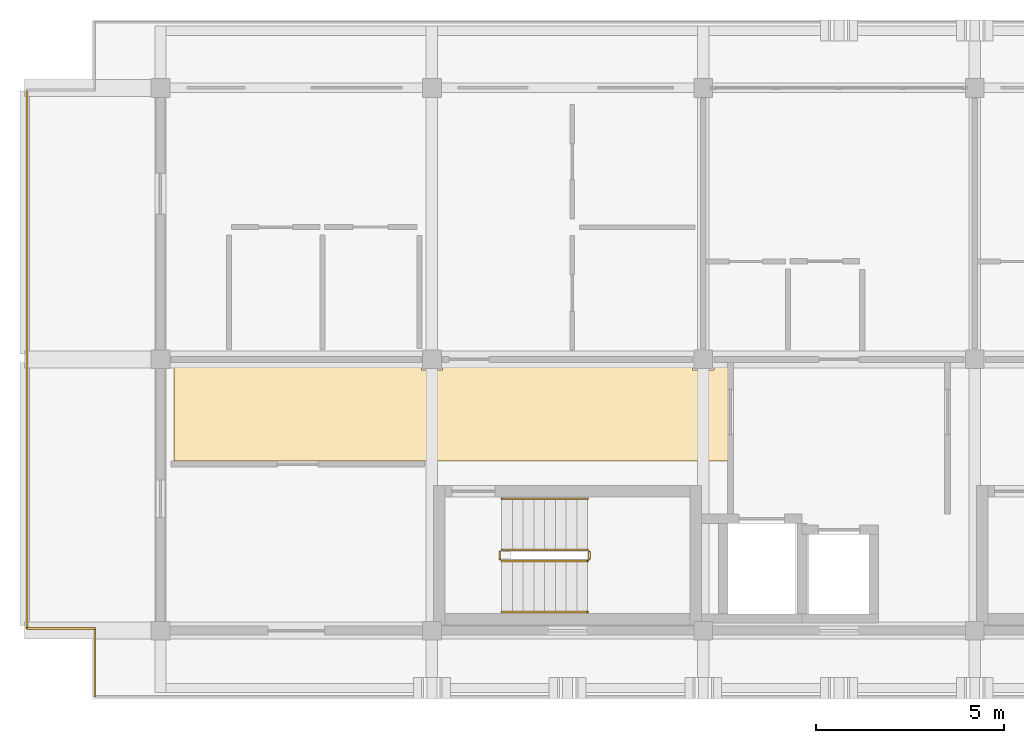
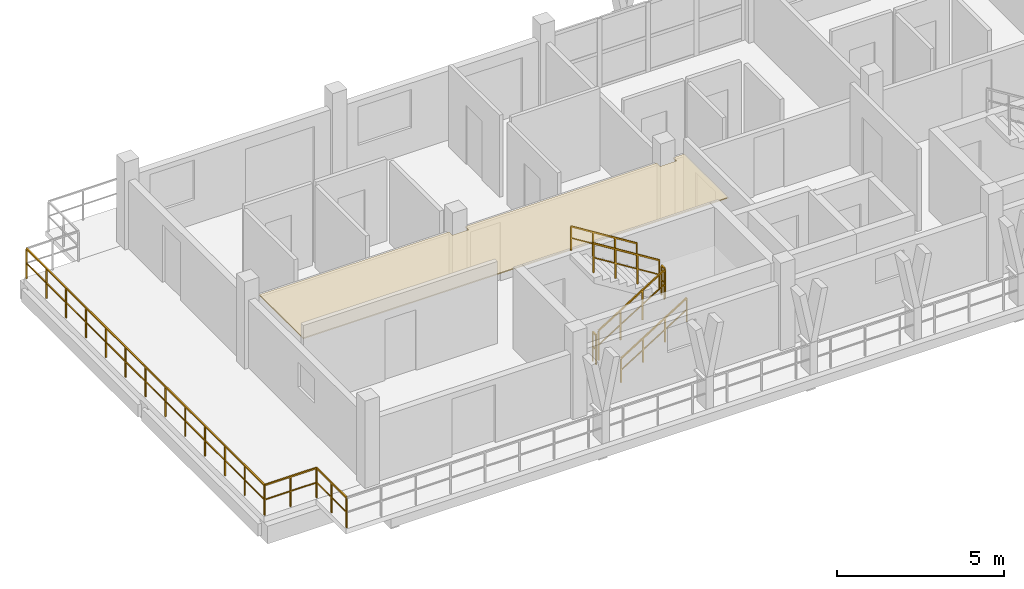
# One storey, part 7 of 9: 9 railings, 1 covering.
"""IFC4 building model written with IfcOpenShell, lengths in metres."""

from ifc_helpers import new_model, si_unit, direction, frame, origin, origin_2d, place, context, subcontext, project, spatial, polyline, rectangle, outline, extrude, material, layer, layer_set, type_object, element, save


model = new_model("IFC4")

# Units and contexts
model_context = context("Model", 3, precision=1e-05, world=origin(), true_north=direction((0.0, 1.0)))
body_context = subcontext(model_context, "Body", "Model", "MODEL_VIEW")
ifc_project = project(units=[si_unit("LENGTHUNIT", "METRE"), si_unit("AREAUNIT", "SQUARE_METRE"), si_unit("VOLUMEUNIT", "CUBIC_METRE"), si_unit("PLANEANGLEUNIT", "RADIAN"), si_unit("MASSUNIT", "GRAM", prefix="KILO")], contexts=[model_context])

# Site, building, storey
site_placement = place(None, origin())
site = spatial("IfcSite", under=ifc_project, at=site_placement, CompositionType="ELEMENT")
building_placement = place(site_placement, origin())
building = spatial("IfcBuilding", under=site, at=building_placement, Name="Suanplinth Sawtooth Commons", CompositionType="ELEMENT")
storey_placement = place(building_placement, frame((0.0, 0.0, 47.699951171875)))
storey = spatial("IfcBuildingStorey", under=building, at=storey_placement, Name="L14", CompositionType="ELEMENT", Elevation=47.699951171875)

# Covering
ifc_material_1 = material(Name="Mineral fibre acoustic tile")
ifc_layer = layer(ifc_material_1, 0.0400390625, Name="Perforated mineral-fibre acoustic suspended ceiling")
ifc_layer_set = layer_set([ifc_layer], Name="Mineral fibre acoustic tile")
covering_type = type_object("IfcCoveringType", Name="CV-CE01", PredefinedType="CEILING", material=ifc_layer_set)
covering_placement = place(storey_placement, frame((0.0, 0.0, 2.380126953125)))
element("IfcCovering", 1, at=covering_placement, inside=storey, type_object=covering_type, Name="L14 Block A Corridor Acoustic Ceiling", PredefinedType="CEILING", context=body_context, shape_type="SweptSolid", body=[
    extrude(outline(polyline([(36.360107421875, 112.5), (36.360107421875, 115.1201171875), (42.919921875, 115.1201171875), (42.919921875, 114.919921875), (43.47998046875, 114.919921875), (43.47998046875, 115.1201171875), (50.1201171875, 115.1201171875), (50.1201171875, 114.919921875), (50.679931640625, 114.919921875), (50.679931640625, 115.1201171875), (51.080078125, 115.1201171875), (51.080078125, 112.5), (36.360107421875, 112.5)])), origin(), (0.0, 0.0, 1.0), 0.0400390625),
])

# Railings
ifc_material_2 = material(Name="Powder-coated galvanized steel", Category="steel")
railing_type_1 = type_object("IfcRailingType", Name="GR-01", PredefinedType="BALUSTRADE", material=ifc_material_2)
railing_1_placement = place(storey_placement, frame((34.260009765625, 108.06005859375, 0.0)))
element("IfcRailing", 2, at=railing_1_placement, inside=storey, type_object=railing_type_1, Name="L14 Block A Perimeter Balustrade 1", PredefinedType="BALUSTRADE", context=body_context, shape_type="SweptSolid", body=[
    extrude(rectangle(XDim=0.048095703125, YDim=0.048095703125, at=origin_2d()), frame((0.0, 0.0, 1.09619140625), z_axis=(-1.0, 0.0, 0.0), x_axis=(0.0, -1.0, 0.0)), (0.0, 0.0, 1.0), 1.800048828125),
    extrude(rectangle(XDim=0.03369140625, YDim=0.03369140625, at=origin_2d()), frame((0.0, 0.0, 0.56005859375), z_axis=(-1.0, 0.0, 0.0), x_axis=(0.0, -1.0, 0.0)), (0.0, 0.0, 1.0), 1.800048828125),
    extrude(rectangle(XDim=0.0419921875, YDim=0.0419921875, at=origin_2d()), origin(), (0.0, 0.0, 1.0), 1.072021484375),
    extrude(rectangle(XDim=0.0419921875, YDim=0.0419921875, at=origin_2d()), frame((-0.89990234375, 0.0, 0.0)), (0.0, 0.0, 1.0), 1.072021484375),
    extrude(rectangle(XDim=0.0419921875, YDim=0.0419921875, at=origin_2d()), frame((-1.800048828125, 0.0, 0.0)), (0.0, 0.0, 1.0), 1.072021484375),
])
railing_2_placement = place(storey_placement, frame((32.4599609375, 108.06005859375, 0.0)))
element("IfcRailing", 3, at=railing_2_placement, inside=storey, type_object=railing_type_1, Name="L14 Block A Perimeter Balustrade 2", PredefinedType="BALUSTRADE", context=body_context, shape_type="SweptSolid", body=[
    extrude(rectangle(XDim=0.048095703125, YDim=0.048095703125, at=origin_2d()), frame((0.0, 0.0, 1.09619140625), z_axis=(0.0, 1.0, 0.0), x_axis=(-1.0, 0.0, 0.0)), (0.0, 0.0, 1.0), 14.280029296875),
    extrude(rectangle(XDim=0.03369140625, YDim=0.03369140625, at=origin_2d()), frame((0.0, 0.0, 0.56005859375), z_axis=(0.0, 1.0, 0.0), x_axis=(-1.0, 0.0, 0.0)), (0.0, 0.0, 1.0), 14.280029296875),
    extrude(rectangle(XDim=0.0419921875, YDim=0.0419921875, at=origin_2d()), origin(), (0.0, 0.0, 1.0), 1.072021484375),
    extrude(rectangle(XDim=0.0419921875, YDim=0.0419921875, at=origin_2d()), frame((0.0, 1.18994140625, 0.0)), (0.0, 0.0, 1.0), 1.072021484375),
    extrude(rectangle(XDim=0.0419921875, YDim=0.0419921875, at=origin_2d()), frame((0.0, 2.3798828125, 0.0)), (0.0, 0.0, 1.0), 1.072021484375),
    extrude(rectangle(XDim=0.0419921875, YDim=0.0419921875, at=origin_2d()), frame((0.0, 3.570068359375, 0.0)), (0.0, 0.0, 1.0), 1.072021484375),
    extrude(rectangle(XDim=0.0419921875, YDim=0.0419921875, at=origin_2d()), frame((0.0, 4.760009765625, 0.0)), (0.0, 0.0, 1.0), 1.072021484375),
    extrude(rectangle(XDim=0.0419921875, YDim=0.0419921875, at=origin_2d()), frame((0.0, 5.949951171875, 0.0)), (0.0, 0.0, 1.0), 1.072021484375),
    extrude(rectangle(XDim=0.0419921875, YDim=0.0419921875, at=origin_2d()), frame((0.0, 7.14013671875, 0.0)), (0.0, 0.0, 1.0), 1.072021484375),
    extrude(rectangle(XDim=0.0419921875, YDim=0.0419921875, at=origin_2d()), frame((0.0, 8.330078125, 0.0)), (0.0, 0.0, 1.0), 1.072021484375),
    extrude(rectangle(XDim=0.0419921875, YDim=0.0419921875, at=origin_2d()), frame((0.0, 9.52001953125, 0.0)), (0.0, 0.0, 1.0), 1.072021484375),
    extrude(rectangle(XDim=0.0419921875, YDim=0.0419921875, at=origin_2d()), frame((0.0, 10.7099609375, 0.0)), (0.0, 0.0, 1.0), 1.072021484375),
    extrude(rectangle(XDim=0.0419921875, YDim=0.0419921875, at=origin_2d()), frame((0.0, 11.89990234375, 0.0)), (0.0, 0.0, 1.0), 1.072021484375),
    extrude(rectangle(XDim=0.0419921875, YDim=0.0419921875, at=origin_2d()), frame((0.0, 13.090087890625, 0.0)), (0.0, 0.0, 1.0), 1.072021484375),
    extrude(rectangle(XDim=0.0419921875, YDim=0.0419921875, at=origin_2d()), frame((0.0, 14.280029296875, 0.0)), (0.0, 0.0, 1.0), 1.072021484375),
])
railing_3_placement = place(storey_placement, frame((34.260009765625, 106.260009765625, 0.0)))
element("IfcRailing", 4, at=railing_3_placement, inside=storey, type_object=railing_type_1, Name="L14 Block A Perimeter Balustrade 12", PredefinedType="BALUSTRADE", context=body_context, shape_type="SweptSolid", body=[
    extrude(rectangle(XDim=0.048095703125, YDim=0.048095703125, at=origin_2d()), frame((0.0, 0.0, 1.09619140625), z_axis=(0.0, 1.0, 0.0), x_axis=(-1.0, 0.0, 0.0)), (0.0, 0.0, 1.0), 1.800048828125),
    extrude(rectangle(XDim=0.03369140625, YDim=0.03369140625, at=origin_2d()), frame((0.0, 0.0, 0.56005859375), z_axis=(0.0, 1.0, 0.0), x_axis=(-1.0, 0.0, 0.0)), (0.0, 0.0, 1.0), 1.800048828125),
    extrude(rectangle(XDim=0.0419921875, YDim=0.0419921875, at=origin_2d()), origin(), (0.0, 0.0, 1.0), 1.072021484375),
    extrude(rectangle(XDim=0.0419921875, YDim=0.0419921875, at=origin_2d()), frame((0.0, 0.89990234375, 0.0)), (0.0, 0.0, 1.0), 1.072021484375),
    extrude(rectangle(XDim=0.0419921875, YDim=0.0419921875, at=origin_2d()), frame((0.0, 1.800048828125, 0.0)), (0.0, 0.0, 1.0), 1.072021484375),
])
ifc_material_3 = material(Name="Stainless steel Grade 304", Category="steel")
railing_type_2 = type_object("IfcRailingType", Name="GR-04", PredefinedType="GUARDRAIL", material=ifc_material_3)
railing_4_placement = place(storey_placement, frame((45.050048828125, 109.85009765625, 0.177734375)))
element("IfcRailing", 5, at=railing_4_placement, inside=storey, type_object=railing_type_2, Name="L14 ST-N1 Guard 1", PredefinedType="GUARDRAIL", context=body_context, shape_type="SweptSolid", body=[
    extrude(rectangle(XDim=0.048095703125, YDim=0.048095703125, at=origin_2d()), frame((0.0, 0.0, 1.076171875), z_axis=(0.848442045328, 0.0, 0.529288291689), x_axis=(0.0, 1.0, 0.0)), (0.0, 0.0, 1.0), 2.687255859375),
    extrude(rectangle(XDim=0.03369140625, YDim=0.03369140625, at=origin_2d()), frame((0.0, 0.0, 0.550048828125), z_axis=(0.848442045328, 0.0, 0.529288291689), x_axis=(0.0, 1.0, 0.0)), (0.0, 0.0, 1.0), 2.687255859375),
    extrude(rectangle(XDim=0.0419921875, YDim=0.0419921875, at=origin_2d()), origin(), (0.0, 0.0, 1.0), 1.052001953125),
    extrude(rectangle(XDim=0.0419921875, YDim=0.0419921875, at=origin_2d()), frame((0.760009765625, 0.0, 0.47412109375)), (0.0, 0.0, 1.0), 1.052001953125),
    extrude(rectangle(XDim=0.0419921875, YDim=0.0419921875, at=origin_2d()), frame((1.52001953125, 0.0, 0.9482421875)), (0.0, 0.0, 1.0), 1.052001953125),
    extrude(rectangle(XDim=0.0419921875, YDim=0.0419921875, at=origin_2d()), frame((2.280029296875, 0.0, 1.42236328125)), (0.0, 0.0, 1.0), 1.052001953125),
])
railing_5_placement = place(storey_placement, frame((47.3798828125, 109.89990234375, 1.60009765625)))
element("IfcRailing", 6, at=railing_5_placement, inside=storey, type_object=railing_type_2, Name="L14 ST-N1 Guard 2", PredefinedType="GUARDRAIL", context=body_context, shape_type="SweptSolid", body=[
    extrude(rectangle(XDim=0.048095703125, YDim=0.048095703125, at=origin_2d()), frame((0.0, 0.0, 1.076171875), z_axis=(0.0, 1.0, 0.0), x_axis=(-1.0, 0.0, 0.0)), (0.0, 0.0, 1.0), 0.2001953125),
    extrude(rectangle(XDim=0.03369140625, YDim=0.03369140625, at=origin_2d()), frame((0.0, 0.0, 0.550048828125), z_axis=(0.0, 1.0, 0.0), x_axis=(-1.0, 0.0, 0.0)), (0.0, 0.0, 1.0), 0.2001953125),
    extrude(rectangle(XDim=0.0419921875, YDim=0.0419921875, at=origin_2d()), origin(), (0.0, 0.0, 1.0), 1.052001953125),
    extrude(rectangle(XDim=0.0419921875, YDim=0.0419921875, at=origin_2d()), frame((0.0, 0.2001953125, 0.0)), (0.0, 0.0, 1.0), 1.052001953125),
])
railing_6_placement = place(storey_placement, frame((47.330078125, 110.14990234375, 1.77783203125)))
element("IfcRailing", 7, at=railing_6_placement, inside=storey, type_object=railing_type_2, Name="L14 ST-N1 Guard 3", PredefinedType="GUARDRAIL", context=body_context, shape_type="SweptSolid", body=[
    extrude(rectangle(XDim=0.048095703125, YDim=0.048095703125, at=origin_2d()), frame((0.0, 0.0, 1.076171875), z_axis=(-0.848482842525, 0.0, 0.529222888715), x_axis=(0.0, -1.0, 0.0)), (0.0, 0.0, 1.0), 2.687255859375),
    extrude(rectangle(XDim=0.03369140625, YDim=0.03369140625, at=origin_2d()), frame((0.0, 0.0, 0.550048828125), z_axis=(-0.848482842525, 0.0, 0.529222888715), x_axis=(0.0, -1.0, 0.0)), (0.0, 0.0, 1.0), 2.687255859375),
    extrude(rectangle(XDim=0.0419921875, YDim=0.0419921875, at=origin_2d()), origin(), (0.0, 0.0, 1.0), 1.052001953125),
    extrude(rectangle(XDim=0.0419921875, YDim=0.0419921875, at=origin_2d()), frame((-0.760009765625, 0.0, 0.47412109375)), (0.0, 0.0, 1.0), 1.052001953125),
    extrude(rectangle(XDim=0.0419921875, YDim=0.0419921875, at=origin_2d()), frame((-1.52001953125, 0.0, 0.947998046875)), (0.0, 0.0, 1.0), 1.052001953125),
    extrude(rectangle(XDim=0.0419921875, YDim=0.0419921875, at=origin_2d()), frame((-2.280029296875, 0.0, 1.422119140625)), (0.0, 0.0, 1.0), 1.052001953125),
])
railing_7_placement = place(storey_placement, frame((45.0, 109.89990234375, 0.0)))
element("IfcRailing", 8, at=railing_7_placement, inside=storey, type_object=railing_type_2, Name="L14 ST-N1 Guard 4", PredefinedType="GUARDRAIL", context=body_context, shape_type="SweptSolid", body=[
    extrude(rectangle(XDim=0.048095703125, YDim=0.048095703125, at=origin_2d()), frame((0.0, 0.0, 1.076171875), z_axis=(0.0, 1.0, 0.0), x_axis=(-1.0, 0.0, 0.0)), (0.0, 0.0, 1.0), 0.2001953125),
    extrude(rectangle(XDim=0.03369140625, YDim=0.03369140625, at=origin_2d()), frame((0.0, 0.0, 0.550048828125), z_axis=(0.0, 1.0, 0.0), x_axis=(-1.0, 0.0, 0.0)), (0.0, 0.0, 1.0), 0.2001953125),
    extrude(rectangle(XDim=0.0419921875, YDim=0.0419921875, at=origin_2d()), origin(), (0.0, 0.0, 1.0), 1.052001953125),
    extrude(rectangle(XDim=0.0419921875, YDim=0.0419921875, at=origin_2d()), frame((0.0, 0.2001953125, 0.0)), (0.0, 0.0, 1.0), 1.052001953125),
])
railing_type_3 = type_object("IfcRailingType", Name="HR-01", PredefinedType="HANDRAIL", material=ifc_material_3)
railing_8_placement = place(storey_placement, frame((45.050048828125, 108.5, 0.177734375)))
element("IfcRailing", 9, at=railing_8_placement, inside=storey, type_object=railing_type_3, Name="L14 ST-N1 Handrail 1", PredefinedType="HANDRAIL", context=body_context, shape_type="SweptSolid", body=[
    extrude(rectangle(XDim=0.048095703125, YDim=0.048095703125, at=origin_2d()), frame((0.0, 0.0, 0.8759765625), z_axis=(0.848442045328, 0.0, 0.529288291689), x_axis=(0.0, 1.0, 0.0)), (0.0, 0.0, 1.0), 2.687255859375),
    extrude(rectangle(XDim=0.03369140625, YDim=0.03369140625, at=origin_2d()), frame((0.0, 0.0, 0.449951171875), z_axis=(0.848442045328, 0.0, 0.529288291689), x_axis=(0.0, 1.0, 0.0)), (0.0, 0.0, 1.0), 2.687255859375),
    extrude(rectangle(XDim=0.0419921875, YDim=0.0419921875, at=origin_2d()), origin(), (0.0, 0.0, 1.0), 0.851806640625),
    extrude(rectangle(XDim=0.0419921875, YDim=0.0419921875, at=origin_2d()), frame((0.760009765625, 0.0, 0.47412109375)), (0.0, 0.0, 1.0), 0.851806640625),
    extrude(rectangle(XDim=0.0419921875, YDim=0.0419921875, at=origin_2d()), frame((1.52001953125, 0.0, 0.9482421875)), (0.0, 0.0, 1.0), 0.851806640625),
    extrude(rectangle(XDim=0.0419921875, YDim=0.0419921875, at=origin_2d()), frame((2.280029296875, 0.0, 1.42236328125)), (0.0, 0.0, 1.0), 0.851806640625),
])
railing_9_placement = place(storey_placement, frame((47.330078125, 111.5, 1.77783203125)))
element("IfcRailing", 10, at=railing_9_placement, inside=storey, type_object=railing_type_3, Name="L14 ST-N1 Handrail 2", PredefinedType="HANDRAIL", context=body_context, shape_type="SweptSolid", body=[
    extrude(rectangle(XDim=0.048095703125, YDim=0.048095703125, at=origin_2d()), frame((0.0, 0.0, 0.8759765625), z_axis=(-0.848482842525, 0.0, 0.529222888715), x_axis=(0.0, -1.0, 0.0)), (0.0, 0.0, 1.0), 2.687255859375),
    extrude(rectangle(XDim=0.03369140625, YDim=0.03369140625, at=origin_2d()), frame((0.0, 0.0, 0.449951171875), z_axis=(-0.848482842525, 0.0, 0.529222888715), x_axis=(0.0, -1.0, 0.0)), (0.0, 0.0, 1.0), 2.687255859375),
    extrude(rectangle(XDim=0.0419921875, YDim=0.0419921875, at=origin_2d()), origin(), (0.0, 0.0, 1.0), 0.851806640625),
    extrude(rectangle(XDim=0.0419921875, YDim=0.0419921875, at=origin_2d()), frame((-0.760009765625, 0.0, 0.47412109375)), (0.0, 0.0, 1.0), 0.851806640625),
    extrude(rectangle(XDim=0.0419921875, YDim=0.0419921875, at=origin_2d()), frame((-1.52001953125, 0.0, 0.947998046875)), (0.0, 0.0, 1.0), 0.851806640625),
    extrude(rectangle(XDim=0.0419921875, YDim=0.0419921875, at=origin_2d()), frame((-2.280029296875, 0.0, 1.422119140625)), (0.0, 0.0, 1.0), 0.851806640625),
])

save(model, "model.ifc")
